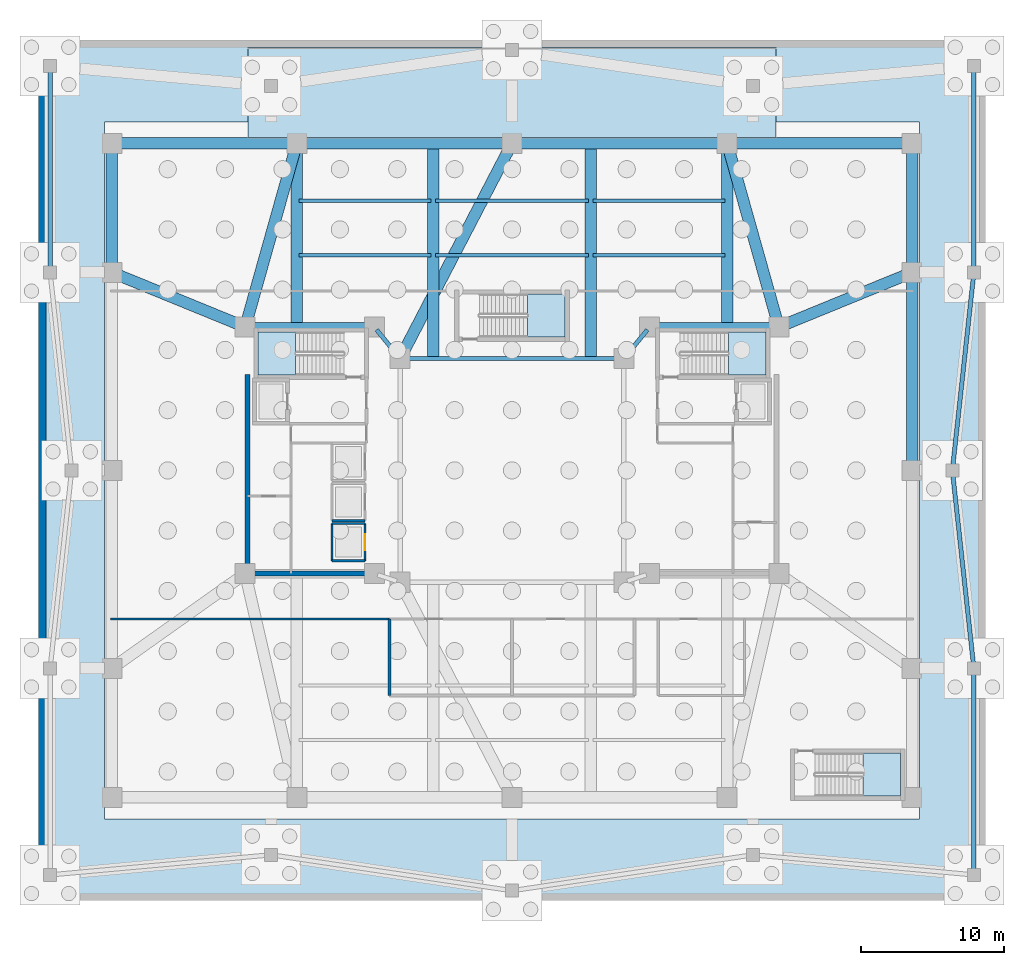
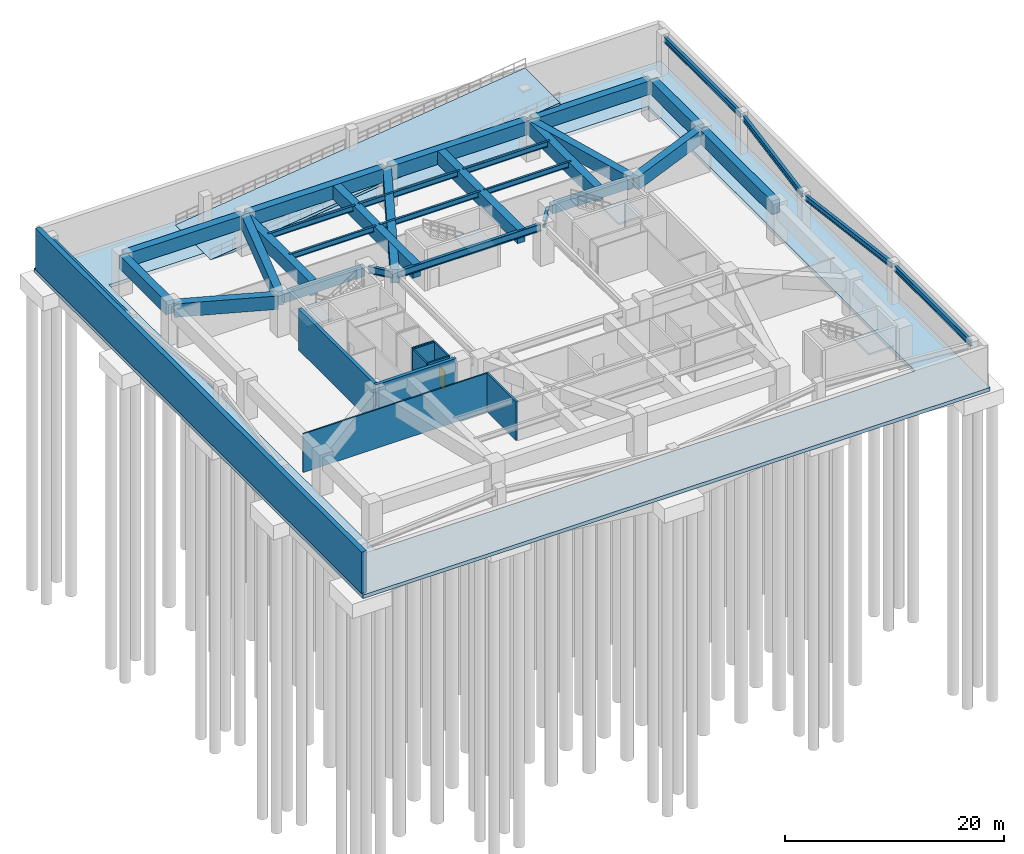
# One storey, part 3 of 9: 32 beams, 10 walls, 6 slabs, 1 door, 1 opening, 4 elements without a shape of their own.
"""IFC4 building model written with IfcOpenShell, lengths in metres."""

from ifc_helpers import new_model, si_unit, direction, frame, frame_2d, origin, origin_2d, place, context, subcontext, project, spatial, polyline, rectangle, i_section, outline, extrude, material, layer, layer_set, material_profile, profile_set, type_object, element, fill, aggregate, save


model = new_model("IFC4")

# Units and contexts
model_context = context("Model", 3, precision=1e-05, world=origin(), true_north=direction((0.0, 1.0)))
body_context = subcontext(model_context, "Body", "Model", "MODEL_VIEW")
ifc_project = project(units=[si_unit("LENGTHUNIT", "METRE"), si_unit("AREAUNIT", "SQUARE_METRE"), si_unit("VOLUMEUNIT", "CUBIC_METRE"), si_unit("PLANEANGLEUNIT", "RADIAN"), si_unit("MASSUNIT", "GRAM", prefix="KILO")], contexts=[model_context])

# Site, building, storey
site_placement = place(None, origin())
site = spatial("IfcSite", under=ifc_project, at=site_placement, CompositionType="ELEMENT")
building_placement = place(site_placement, origin())
building = spatial("IfcBuilding", under=site, at=building_placement, Name="Tarnavaz Court Tower", CompositionType="ELEMENT")
storey_placement = place(building_placement, frame((0.0, 0.0, -9.199951171875)))
storey = spatial("IfcBuildingStorey", under=building, at=storey_placement, Name="B02", CompositionType="ELEMENT", Elevation=-9.199951171875)

# Beams
ifc_material_1 = material(Name="Concrete C60/75", Category="concrete")
ifc_material_profile_1 = material_profile(ifc_material_1, rectangle(XDim=0.60009765625, YDim=1.0, at=origin_2d()), Name="RC 600X1000")
ifc_profile_set_1 = profile_set([ifc_material_profile_1], Name="Concrete C60/75")
beam_type_1 = type_object("IfcBeamType", Name="BM-CB1000", PredefinedType="LINTEL", material=ifc_profile_set_1)
for number, where, z_axis, x_axis, name in (
    (1, (-18.35009765625, 10.0, 3.800048828125), (1.0, 0.0, 0.0), (0.0, 1.0, 0.0), "B02 Beam CW-NO-CW-NI"),
    (2, (18.35009765625, 10.0, 3.800048828125), (-1.0, 0.0, 0.0), (0.0, -1.0, 0.0), "B02 Beam CE-NO-CE-NI"),
):
    element("IfcBeam", number, at=place(storey_placement, frame(where, z_axis=z_axis, x_axis=x_axis)), inside=storey, type_object=beam_type_1, Name=name, PredefinedType="LINTEL", context=body_context, shape_type="SweptSolid", body=[
        extrude(rectangle(XDim=0.60009765625, YDim=1.0, at=origin_2d()), origin(), (0.0, 0.0, 1.0), 8.5),
    ])
ifc_material_2 = material(Name="Steel S355", Category="steel")
ifc_material_profile_2 = material_profile(ifc_material_2, i_section(OverallWidth=0.300048828125, OverallDepth=0.800048828125, WebThickness=0.017578125, FlangeThickness=0.032958984375, FilletRadius=0.030029296875, at=origin_2d()), Name="HEB 800")
ifc_profile_set_2 = profile_set([ifc_material_profile_2], Name="Steel S355")
beam_type_2 = type_object("IfcBeamType", Name="BM-G-HEB800", PredefinedType="USERDEFINED", material=ifc_profile_set_2)
beam_1_placement = place(storey_placement, frame((-7.550048828125, 7.800048828125, 3.89990234375), z_axis=(1.0, 0.0, 0.0), x_axis=(0.0, 1.0, 0.0)))
element("IfcBeam", 3, at=beam_1_placement, inside=storey, type_object=beam_type_2, Name="B02 Beam IW-NW-IW-NE", ObjectType="GIRDER", PredefinedType="USERDEFINED", context=body_context, shape_type="SweptSolid", body=[
    extrude(i_section(OverallWidth=0.300048828125, OverallDepth=0.800048828125, WebThickness=0.017578125, FlangeThickness=0.032958984375, FilletRadius=0.030029296875, at=origin_2d()), origin(), (0.0, 0.0, 1.0), 15.10009765625),
])
for number, where, z_axis, x_axis, name in (
    (4, (-9.441650390625, 9.806396484375, 3.89990234375), (0.633249141033, -0.773948012066, 0.0), (0.773948012066, 0.633249141033, 0.0), "B02 Beam CW-NI-IW-NW"),
    (5, (9.441650390625, 9.806396484375, 3.89990234375), (-0.633249141033, -0.773948012066, 0.0), (0.773948012066, -0.633249141033, 0.0), "B02 Beam CE-NI-IW-NE"),
):
    element("IfcBeam", number, at=place(storey_placement, frame(where, z_axis=z_axis, x_axis=x_axis)), inside=storey, type_object=beam_type_2, Name=name, ObjectType="GIRDER", PredefinedType="USERDEFINED", context=body_context, shape_type="SweptSolid", body=[
        extrude(i_section(OverallWidth=0.300048828125, OverallDepth=0.800048828125, WebThickness=0.017578125, FlangeThickness=0.032958984375, FilletRadius=0.030029296875, at=origin_2d()), origin(), (0.0, 0.0, 1.0), 2.342529296875),
    ])
ifc_material_profile_3 = material_profile(ifc_material_2, i_section(OverallWidth=0.219970703125, OverallDepth=0.60009765625, WebThickness=0.011962890625, FlangeThickness=0.01904296875, FilletRadius=0.02392578125, at=origin_2d()), Name="IPE 600")
ifc_profile_set_3 = profile_set([ifc_material_profile_3], Name="Steel S355")
beam_type_3 = type_object("IfcBeamType", Name="BM-J-IPE600", PredefinedType="JOIST", material=ifc_profile_set_3)
beam_2_placement = place(storey_placement, frame((-14.85009765625, 15.0, 4.0), z_axis=(1.0, 0.0, 0.0), x_axis=(0.0, 1.0, 0.0)))
element("IfcBeam", 6, at=beam_2_placement, inside=storey, type_object=beam_type_3, Name="B02 Beam PJN-1-1", PredefinedType="JOIST", context=body_context, shape_type="SweptSolid", body=[
    extrude(i_section(OverallWidth=0.219970703125, OverallDepth=0.60009765625, WebThickness=0.011962890625, FlangeThickness=0.01904296875, FilletRadius=0.02392578125, at=origin_2d()), origin(), (0.0, 0.0, 1.0), 9.2001953125),
])
beam_3_placement = place(storey_placement, frame((-5.35009765625, 15.0, 4.0), z_axis=(1.0, 0.0, 0.0), x_axis=(0.0, 1.0, 0.0)))
element("IfcBeam", 7, at=beam_3_placement, inside=storey, type_object=beam_type_3, Name="B02 Beam PJN-1-2", PredefinedType="JOIST", context=body_context, shape_type="SweptSolid", body=[
    extrude(i_section(OverallWidth=0.219970703125, OverallDepth=0.60009765625, WebThickness=0.011962890625, FlangeThickness=0.01904296875, FilletRadius=0.02392578125, at=origin_2d()), origin(), (0.0, 0.0, 1.0), 10.7001953125),
])
for number, where, z_axis, x_axis, name in (
    (8, (5.64990234375, 15.0, 4.0), (1.0, 0.0, 0.0), (0.0, 1.0, 0.0), "B02 Beam PJN-1-3"),
    (9, (-14.85009765625, 18.800048828125, 4.0), (1.0, 0.0, 0.0), (0.0, 1.0, 0.0), "B02 Beam PJN-2-1"),
):
    element("IfcBeam", number, at=place(storey_placement, frame(where, z_axis=z_axis, x_axis=x_axis)), inside=storey, type_object=beam_type_3, Name=name, PredefinedType="JOIST", context=body_context, shape_type="SweptSolid", body=[
        extrude(i_section(OverallWidth=0.219970703125, OverallDepth=0.60009765625, WebThickness=0.011962890625, FlangeThickness=0.01904296875, FilletRadius=0.02392578125, at=origin_2d()), origin(), (0.0, 0.0, 1.0), 9.2001953125),
    ])
beam_4_placement = place(storey_placement, frame((-5.35009765625, 18.800048828125, 4.0), z_axis=(1.0, 0.0, 0.0), x_axis=(0.0, 1.0, 0.0)))
element("IfcBeam", 10, at=beam_4_placement, inside=storey, type_object=beam_type_3, Name="B02 Beam PJN-2-2", PredefinedType="JOIST", context=body_context, shape_type="SweptSolid", body=[
    extrude(i_section(OverallWidth=0.219970703125, OverallDepth=0.60009765625, WebThickness=0.011962890625, FlangeThickness=0.01904296875, FilletRadius=0.02392578125, at=origin_2d()), origin(), (0.0, 0.0, 1.0), 10.7001953125),
])
beam_5_placement = place(storey_placement, frame((5.64990234375, 18.800048828125, 4.0), z_axis=(1.0, 0.0, 0.0), x_axis=(0.0, 1.0, 0.0)))
element("IfcBeam", 11, at=beam_5_placement, inside=storey, type_object=beam_type_3, Name="B02 Beam PJN-2-3", PredefinedType="JOIST", context=body_context, shape_type="SweptSolid", body=[
    extrude(i_section(OverallWidth=0.219970703125, OverallDepth=0.60009765625, WebThickness=0.011962890625, FlangeThickness=0.01904296875, FilletRadius=0.02392578125, at=origin_2d()), origin(), (0.0, 0.0, 1.0), 9.2001953125),
])
ifc_material_profile_4 = material_profile(ifc_material_2, i_section(OverallWidth=0.300048828125, OverallDepth=0.639892578125, WebThickness=0.013427734375, FlangeThickness=0.02587890625, FilletRadius=0.027099609375, at=origin_2d()), Name="HEA 650")
ifc_profile_set_4 = profile_set([ifc_material_profile_4], Name="Steel S355")
beam_type_4 = type_object("IfcBeamType", Name="BM-SP-HEA650", PredefinedType="SPANDREL", material=ifc_profile_set_4)
for number, where, z_axis, x_axis, name in (
    (12, (-32.199951171875, 14.0, 3.97998046875), (0.0, 1.0, 0.0), (-1.0, 0.0, 0.0), "B02 Beam PR-POD-W3-POD-NW1"),
    (13, (32.199951171875, -28.0, 3.97998046875), (0.0, 1.0, 0.0), (-1.0, 0.0, 0.0), "B02 Beam PR-POD-SE1-POD-E1"),
):
    element("IfcBeam", number, at=place(storey_placement, frame(where, z_axis=z_axis, x_axis=x_axis)), inside=storey, type_object=beam_type_4, Name=name, PredefinedType="SPANDREL", context=body_context, shape_type="SweptSolid", body=[
        extrude(i_section(OverallWidth=0.300048828125, OverallDepth=0.639892578125, WebThickness=0.013427734375, FlangeThickness=0.02587890625, FilletRadius=0.027099609375, at=origin_2d()), origin(), (0.0, 0.0, 1.0), 14.0),
    ])
for number, where, z_axis, x_axis, name in (
    (14, (32.178466796875, -13.601318359375, 3.97998046875), (-0.10805801352, 0.994144589944, 0.0), (-0.994144589944, -0.10805801352, 0.0), "B02 Beam PR-POD-E1-POD-E2"),
    (15, (30.7216796875, 0.19873046875, 3.97998046875), (0.10805801352, 0.994144589944, 0.0), (-0.994144589944, 0.10805801352, 0.0), "B02 Beam PR-POD-E2-POD-E3"),
):
    element("IfcBeam", number, at=place(storey_placement, frame(where, z_axis=z_axis, x_axis=x_axis)), inside=storey, type_object=beam_type_4, Name=name, PredefinedType="SPANDREL", context=body_context, shape_type="SweptSolid", body=[
        extrude(i_section(OverallWidth=0.300048828125, OverallDepth=0.639892578125, WebThickness=0.013427734375, FlangeThickness=0.02587890625, FilletRadius=0.027099609375, at=origin_2d()), origin(), (0.0, 0.0, 1.0), 13.4814453125),
    ])
beam_6_placement = place(storey_placement, frame((32.199951171875, 14.0, 3.97998046875), z_axis=(0.0, 1.0, 0.0), x_axis=(-1.0, 0.0, 0.0)))
element("IfcBeam", 16, at=beam_6_placement, inside=storey, type_object=beam_type_4, Name="B02 Beam PR-POD-E3-POD-NE1", PredefinedType="SPANDREL", context=body_context, shape_type="SweptSolid", body=[
    extrude(i_section(OverallWidth=0.300048828125, OverallDepth=0.639892578125, WebThickness=0.013427734375, FlangeThickness=0.02587890625, FilletRadius=0.027099609375, at=origin_2d()), origin(), (0.0, 0.0, 1.0), 14.0),
])
ifc_material_3 = material(Name="Concrete C50/60", Category="concrete")
ifc_material_profile_5 = material_profile(ifc_material_3, rectangle(XDim=0.800048828125, YDim=1.5, at=origin_2d()), Name="RC 800X1500")
ifc_profile_set_5 = profile_set([ifc_material_profile_5], Name="Concrete C50/60")
beam_type_5 = type_object("IfcBeamType", Name="BM-TG1500", PredefinedType="USERDEFINED", material=ifc_profile_set_5)
beam_7_placement = place(storey_placement, frame((-27.64990234375, 22.800048828125, 3.550048828125), z_axis=(1.0, 0.0, 0.0), x_axis=(0.0, 1.0, 0.0)))
element("IfcBeam", 17, at=beam_7_placement, inside=storey, type_object=beam_type_5, Name="B02 Beam PM-PM-NW-PM-N1", ObjectType="GIRDER", PredefinedType="USERDEFINED", context=body_context, shape_type="SweptSolid", body=[
    extrude(rectangle(XDim=0.800048828125, YDim=1.5, at=origin_2d()), origin(), (0.0, 0.0, 1.0), 12.39990234375),
])
for number, where, z_axis, x_axis, name in (
    (18, (-14.75, 22.800048828125, 3.550048828125), (1.0, 0.0, 0.0), (0.0, 1.0, 0.0), "B02 Beam PM-PM-N1-PM-N2"),
    (19, (0.25, 22.800048828125, 3.550048828125), (1.0, 0.0, 0.0), (0.0, 1.0, 0.0), "B02 Beam PM-PM-N2-PM-N3"),
):
    element("IfcBeam", number, at=place(storey_placement, frame(where, z_axis=z_axis, x_axis=x_axis)), inside=storey, type_object=beam_type_5, Name=name, ObjectType="GIRDER", PredefinedType="USERDEFINED", context=body_context, shape_type="SweptSolid", body=[
        extrude(rectangle(XDim=0.800048828125, YDim=1.5, at=origin_2d()), origin(), (0.0, 0.0, 1.0), 14.5),
    ])
beam_8_placement = place(storey_placement, frame((15.25, 22.800048828125, 3.550048828125), z_axis=(1.0, 0.0, 0.0), x_axis=(0.0, 1.0, 0.0)))
element("IfcBeam", 20, at=beam_8_placement, inside=storey, type_object=beam_type_5, Name="B02 Beam PM-PM-N3-PM-NE", ObjectType="GIRDER", PredefinedType="USERDEFINED", context=body_context, shape_type="SweptSolid", body=[
    extrude(rectangle(XDim=0.800048828125, YDim=1.5, at=origin_2d()), origin(), (0.0, 0.0, 1.0), 12.39990234375),
])
beam_9_placement = place(storey_placement, frame((-27.89990234375, 14.050048828125, 3.550048828125), z_axis=(0.0, 1.0, 0.0), x_axis=(-1.0, 0.0, 0.0)))
element("IfcBeam", 21, at=beam_9_placement, inside=storey, type_object=beam_type_5, Name="B02 Beam PM-PM-W3-PM-NW", ObjectType="GIRDER", PredefinedType="USERDEFINED", context=body_context, shape_type="SweptSolid", body=[
    extrude(rectangle(XDim=0.800048828125, YDim=1.5, at=origin_2d()), origin(), (0.0, 0.0, 1.0), 8.5),
])
beam_10_placement = place(storey_placement, frame((27.89990234375, 0.25, 3.550048828125), z_axis=(0.0, 1.0, 0.0), x_axis=(-1.0, 0.0, 0.0)))
element("IfcBeam", 22, at=beam_10_placement, inside=storey, type_object=beam_type_5, Name="B02 Beam PM-PM-E2-PM-E3", ObjectType="GIRDER", PredefinedType="USERDEFINED", context=body_context, shape_type="SweptSolid", body=[
    extrude(rectangle(XDim=0.800048828125, YDim=1.5, at=origin_2d()), origin(), (0.0, 0.0, 1.0), 13.300048828125),
])
beam_11_placement = place(storey_placement, frame((27.89990234375, 14.050048828125, 3.550048828125), z_axis=(0.0, 1.0, 0.0), x_axis=(-1.0, 0.0, 0.0)))
element("IfcBeam", 23, at=beam_11_placement, inside=storey, type_object=beam_type_5, Name="B02 Beam PM-PM-E3-PM-NE", ObjectType="GIRDER", PredefinedType="USERDEFINED", context=body_context, shape_type="SweptSolid", body=[
    extrude(rectangle(XDim=0.800048828125, YDim=1.5, at=origin_2d()), origin(), (0.0, 0.0, 1.0), 8.5),
])
beam_12_placement = place(storey_placement, frame((-18.5322265625, 10.24072265625, 3.550048828125), z_axis=(0.270745024415, 0.962651095545, 0.0), x_axis=(-0.962651095545, 0.270745024415, 0.0)))
element("IfcBeam", 24, at=beam_12_placement, inside=storey, type_object=beam_type_5, Name="B02 Beam PM-CW-NO-PM-N1", ObjectType="GIRDER", PredefinedType="USERDEFINED", context=body_context, shape_type="SweptSolid", body=[
    extrude(rectangle(XDim=0.800048828125, YDim=1.5, at=origin_2d()), origin(), (0.0, 0.0, 1.0), 12.796630859375),
])
beam_13_placement = place(storey_placement, frame((-7.684814453125, 8.021728515625, 3.550048828125), z_axis=(0.461364918236, 0.887210466699, 0.0), x_axis=(-0.887210466699, 0.461364918236, 0.0)))
element("IfcBeam", 25, at=beam_13_placement, inside=storey, type_object=beam_type_5, Name="B02 Beam PM-IW-NW-PM-N2", ObjectType="GIRDER", PredefinedType="USERDEFINED", context=body_context, shape_type="SweptSolid", body=[
    extrude(rectangle(XDim=0.800048828125, YDim=1.5, at=origin_2d()), origin(), (0.0, 0.0, 1.0), 16.406982421875),
])
beam_14_placement = place(storey_placement, frame((18.5322265625, 10.24072265625, 3.550048828125), z_axis=(-0.270745024415, 0.962651095545, 0.0), x_axis=(-0.962651095545, -0.270745024415, 0.0)))
element("IfcBeam", 26, at=beam_14_placement, inside=storey, type_object=beam_type_5, Name="B02 Beam PM-CE-NO-PM-N3", ObjectType="GIRDER", PredefinedType="USERDEFINED", context=body_context, shape_type="SweptSolid", body=[
    extrude(rectangle(XDim=0.800048828125, YDim=1.5, at=origin_2d()), origin(), (0.0, 0.0, 1.0), 12.796630859375),
])
for number, where, z_axis, x_axis, name in (
    (27, (-18.831298828125, 10.094482421875, 3.550048828125), (-0.925710630755, 0.378232505356, 0.0), (-0.378232505356, -0.925710630755, 0.0), "B02 Beam PM-CW-NO-PM-W3"),
    (28, (18.831298828125, 10.094482421875, 3.550048828125), (0.925710630755, 0.378232505356, 0.0), (-0.378232505356, 0.925710630755, 0.0), "B02 Beam PM-CE-NO-PM-E3"),
):
    element("IfcBeam", number, at=place(storey_placement, frame(where, z_axis=z_axis, x_axis=x_axis)), inside=storey, type_object=beam_type_5, Name=name, ObjectType="GIRDER", PredefinedType="USERDEFINED", context=body_context, shape_type="SweptSolid", body=[
        extrude(rectangle(XDim=0.800048828125, YDim=1.5, at=origin_2d()), origin(), (0.0, 0.0, 1.0), 9.546630859375),
    ])
beam_15_placement = place(storey_placement, frame((-15.0, 10.0400390625, 3.550048828125), z_axis=(0.0, 1.0, 0.0), x_axis=(-1.0, 0.0, 0.0)))
element("IfcBeam", 29, at=beam_15_placement, inside=storey, type_object=beam_type_5, Name="B02 Beam PM-NS-NW", ObjectType="GIRDER", PredefinedType="USERDEFINED", context=body_context, shape_type="SweptSolid", body=[
    extrude(rectangle(XDim=0.800048828125, YDim=1.5, at=origin_2d()), origin(), (0.0, 0.0, 1.0), 12.719970703125),
])
for number, where, z_axis, x_axis, name in (
    (30, (-5.5, 7.840087890625, 3.550048828125), (0.0, 1.0, 0.0), (-1.0, 0.0, 0.0), "B02 Beam PM-NS-NCW"),
    (31, (5.5, 7.840087890625, 3.550048828125), (0.0, 1.0, 0.0), (-1.0, 0.0, 0.0), "B02 Beam PM-NS-NCE"),
):
    element("IfcBeam", number, at=place(storey_placement, frame(where, z_axis=z_axis, x_axis=x_axis)), inside=storey, type_object=beam_type_5, Name=name, ObjectType="GIRDER", PredefinedType="USERDEFINED", context=body_context, shape_type="SweptSolid", body=[
        extrude(rectangle(XDim=0.800048828125, YDim=1.5, at=origin_2d()), origin(), (0.0, 0.0, 1.0), 14.919921875),
    ])
beam_16_placement = place(storey_placement, frame((15.0, 10.0400390625, 3.550048828125), z_axis=(0.0, 1.0, 0.0), x_axis=(-1.0, 0.0, 0.0)))
element("IfcBeam", 32, at=beam_16_placement, inside=storey, type_object=beam_type_5, Name="B02 Beam PM-NS-NE", ObjectType="GIRDER", PredefinedType="USERDEFINED", context=body_context, shape_type="SweptSolid", body=[
    extrude(rectangle(XDim=0.800048828125, YDim=1.5, at=origin_2d()), origin(), (0.0, 0.0, 1.0), 12.719970703125),
])

# Slab
ifc_material_4 = material(Name="Concrete C40/50", Category="concrete")
ifc_layer_1 = layer(ifc_material_4, 0.39990234375)
ifc_layer_set_1 = layer_set([ifc_layer_1], Name="Concrete C40/50")
slab_type_1 = type_object("IfcSlabType", Name="SL-BASE-400", PredefinedType="BASESLAB", material=ifc_layer_set_1)
slab_1_placement = place(storey_placement, frame((0.0, 0.0, -0.400146484375)))
element("IfcSlab", 33, at=slab_1_placement, inside=storey, type_object=slab_type_1, Name="B02 Basement Perimeter Base Slab", PredefinedType="BASESLAB", context=body_context, shape_type="SweptSolid", body=[
    extrude(outline(polyline([(-33.0, -30.0), (33.0, -30.0), (33.0, 30.0), (-33.0, 30.0), (-33.0, -30.0)]), holes=[polyline([(-28.39990234375, -24.300048828125), (28.39990234375, -24.300048828125), (28.39990234375, 24.300048828125), (-28.39990234375, 24.300048828125), (-28.39990234375, -24.300048828125)])]), origin(), (0.0, 0.0, 1.0), 0.400146484375),
])

# Stair, slab
stair_type = type_object("IfcStairType", Name="ST-TWR-26R", PredefinedType="HALF_TURN_STAIR", material=ifc_material_4)
stair_1_placement = place(storey_placement, origin())
stair_1 = element("IfcStair", 34, at=stair_1_placement, inside=storey, type_object=stair_type, Name="B02 West Core Pressurized Exit Stair ST-W1", PredefinedType="HALF_TURN_STAIR")
ifc_layer_2 = layer(ifc_material_4, 0.199951171875)
ifc_layer_set_2 = layer_set([ifc_layer_2], Name="Concrete C40/50")
slab_type_2 = type_object("IfcSlabType", Name="SL-LAND-200", PredefinedType="LANDING", material=ifc_layer_set_2)
slab_2_placement = place(storey_placement, frame((0.0, 0.0, 2.099853515625)))
slab_2 = element("IfcSlab", 35, at=slab_2_placement, type_object=slab_type_2, Name="ST-W1 landing 1", PredefinedType="LANDING", context=body_context, shape_type="SweptSolid", body=[
    extrude(outline(polyline([(-15.080078125, 9.639892578125), (-17.699951171875, 9.639892578125), (-17.699951171875, 6.64990234375), (-15.080078125, 6.64990234375), (-15.080078125, 9.639892578125)])), origin(), (0.0, 0.0, 1.0), 0.2001953125),
])
aggregate(stair_1, [slab_2])

stair_2_placement = place(storey_placement, origin())
stair_2 = element("IfcStair", 36, at=stair_2_placement, inside=storey, type_object=stair_type, Name="B02 East Core Pressurized Exit Stair ST-E1", PredefinedType="HALF_TURN_STAIR")
slab_3_placement = place(storey_placement, frame((0.0, 0.0, 2.099853515625)))
slab_3 = element("IfcSlab", 37, at=slab_3_placement, type_object=slab_type_2, Name="ST-E1 landing 1", PredefinedType="LANDING", context=body_context, shape_type="SweptSolid", body=[
    extrude(outline(polyline([(15.080078125, 6.64990234375), (17.699951171875, 6.64990234375), (17.699951171875, 9.639892578125), (15.080078125, 9.639892578125), (15.080078125, 6.64990234375)])), origin(), (0.0, 0.0, 1.0), 0.2001953125),
])
aggregate(stair_2, [slab_3])

stair_3_placement = place(storey_placement, origin())
stair_3 = element("IfcStair", 38, at=stair_3_placement, inside=storey, type_object=stair_type, Name="B02 North Ring Pressurized Exit Stair ST-N1", PredefinedType="HALF_TURN_STAIR")
slab_4_placement = place(storey_placement, frame((0.0, 0.0, 2.099853515625)))
slab_4 = element("IfcSlab", 39, at=slab_4_placement, type_object=slab_type_2, Name="ST-N1 landing 1", PredefinedType="LANDING", context=body_context, shape_type="SweptSolid", body=[
    extrude(outline(polyline([(1.080078125, 9.300048828125), (3.699951171875, 9.300048828125), (3.699951171875, 12.2900390625), (1.080078125, 12.2900390625), (1.080078125, 9.300048828125)])), origin(), (0.0, 0.0, 1.0), 0.2001953125),
])
aggregate(stair_3, [slab_4])

stair_4_placement = place(storey_placement, origin())
stair_4 = element("IfcStair", 40, at=stair_4_placement, inside=storey, type_object=stair_type, Name="B02 Podium Clinic Exit Stair ST-P1", PredefinedType="HALF_TURN_STAIR")
slab_5_placement = place(storey_placement, frame((0.0, 0.0, 2.099853515625)))
slab_5 = element("IfcSlab", 41, at=slab_5_placement, type_object=slab_type_2, Name="ST-P1 landing 1", PredefinedType="LANDING", context=body_context, shape_type="SweptSolid", body=[
    extrude(outline(polyline([(24.47998046875, -22.699951171875), (27.10009765625, -22.699951171875), (27.10009765625, -19.7099609375), (24.47998046875, -19.7099609375), (24.47998046875, -22.699951171875)])), origin(), (0.0, 0.0, 1.0), 0.2001953125),
])
aggregate(stair_4, [slab_5])

# Slab
ifc_layer_3 = layer(ifc_material_4, 0.300048828125)
ifc_layer_set_3 = layer_set([ifc_layer_3], Name="Concrete C40/50")
slab_type_3 = type_object("IfcSlabType", Name="SL-VRAMP-300", PredefinedType="FLOOR", material=ifc_layer_set_3)
slab_6_placement = place(storey_placement, frame((-18.39990234375, 26.300048828125, 0.0), z_axis=(0.0, 0.0, 1.0), x_axis=(1.0, 0.0, 0.0)))
element("IfcSlab", 42, at=slab_6_placement, inside=storey, type_object=slab_type_3, Name="B02 Car Park Vehicle Ramp R1 Structural Slab (B02 to B01)", PredefinedType="FLOOR", context=body_context, shape_type="SweptSolid", body=[
    extrude(outline(polyline([(0.0, 0.0), (36.800048828125, 4.60009765625), (36.800048828125, 4.300048828125), (2.400390625, 0.0), (0.0, 0.0)])), frame((0.0, 3.199951171875, 0.0), z_axis=(0.0, -1.0, 0.0), x_axis=(1.0, 0.0, 0.0)), (0.0, 0.0, 1.0), 6.39990234375),
])

# Walls
ifc_layer_4 = layer(ifc_material_1, 0.35009765625)
ifc_layer_set_4 = layer_set([ifc_layer_4], Name="Concrete C60/75")
wall_type_1 = type_object("IfcWallType", Name="WL-CORE-350-C60", PredefinedType="SHEAR", material=ifc_layer_set_4)
wall_1_placement = place(storey_placement, frame((-18.449951171875, -7.375, 0.0), z_axis=(0.0, 0.0, 1.0), x_axis=(0.0, 1.0, 0.0)))
element("IfcWall", 43, at=wall_1_placement, inside=storey, type_object=wall_type_1, Name="B02 West Core Shear Wall 041", PredefinedType="SHEAR", context=body_context, shape_type="SweptSolid", body=[
    extrude(rectangle(XDim=14.050048828125, YDim=0.35009765625, at=frame_2d((7.02490234375, 0.0))), origin(), (0.0, 0.0, 1.0), 4.599853515625),
])
wall_2_placement = place(storey_placement, frame((-18.625, -7.199951171875, 0.0), z_axis=(0.0, 0.0, 1.0), x_axis=(1.0, 0.0, 0.0)))
element("IfcWall", 44, at=wall_2_placement, inside=storey, type_object=wall_type_1, Name="B02 West Core South Shear Wall 042", PredefinedType="SHEAR", context=body_context, shape_type="SweptSolid", body=[
    extrude(rectangle(XDim=8.550048828125, YDim=0.35009765625, at=frame_2d((4.27490234375, 0.0))), origin(), (0.0, 0.0, 1.0), 4.599853515625),
])
ifc_material_5 = material(Name="Gypsum Fire-Board on Acoustic Metal Stud", Category="masonry")
ifc_layer_5 = layer(ifc_material_5, 0.14990234375)
ifc_layer_set_5 = layer_set([ifc_layer_5], Name="Gypsum Fire-Board on Acoustic Metal Stud")
wall_type_2 = type_object("IfcWallType", Name="WL-FIRE-150", PredefinedType="PARTITIONING", material=ifc_layer_set_5)
wall_3_placement = place(storey_placement, frame((-28.0, -10.35009765625, 0.0), z_axis=(0.0, 0.0, 1.0), x_axis=(1.0, 0.0, 0.0)))
element("IfcWall", 45, at=wall_3_placement, inside=storey, type_object=wall_type_2, Name="B02 SW Corridor Wall 055", PredefinedType="PARTITIONING", context=body_context, shape_type="SweptSolid", body=[
    extrude(rectangle(XDim=19.449951171875, YDim=0.14990234375, at=frame_2d((9.72509765625, 0.0))), origin(), (0.0, 0.0, 1.0), 4.300048828125),
])
ifc_material_6 = material(Name="Autoclaved Aerated Concrete Blockwork", Category="masonry")
ifc_layer_6 = layer(ifc_material_6, 0.199951171875)
ifc_layer_set_6 = layer_set([ifc_layer_6], Name="Autoclaved Aerated Concrete Blockwork")
wall_type_3 = type_object("IfcWallType", Name="WL-FIRE-200", PredefinedType="SOLIDWALL", material=ifc_layer_set_6)
wall_4_placement = place(storey_placement, frame((-8.550048828125, -15.699951171875, 0.0), z_axis=(0.0, 0.0, 1.0), x_axis=(0.0, 1.0, 0.0)))
element("IfcWall", 46, at=wall_4_placement, inside=storey, type_object=wall_type_3, Name="B02 Interior Partition 059", PredefinedType="SOLIDWALL", context=body_context, shape_type="SweptSolid", body=[
    extrude(rectangle(XDim=5.349853515625, YDim=0.199951171875, at=frame_2d((2.6748046875, 0.0))), origin(), (0.0, 0.0, 1.0), 4.300048828125),
])
ifc_layer_7 = layer(ifc_material_3, 0.5)
ifc_layer_set_7 = layer_set([ifc_layer_7], Name="Concrete C50/60")
wall_type_4 = type_object("IfcWallType", Name="WL-RET-500", PredefinedType="USERDEFINED", material=ifc_layer_set_7)
wall_5_placement = place(storey_placement, frame((-32.75, -29.75, 0.0), z_axis=(0.0, 0.0, 1.0), x_axis=(0.0, 1.0, 0.0)))
element("IfcWall", 47, at=wall_5_placement, inside=storey, type_object=wall_type_4, Name="B02 Perimeter Retaining Wall 4", ObjectType="RETAINING WALL", PredefinedType="USERDEFINED", context=body_context, shape_type="SweptSolid", body=[
    extrude(rectangle(XDim=59.5, YDim=0.5, at=frame_2d((29.75, 0.0))), origin(), (0.0, 0.0, 1.0), 4.599853515625),
])
ifc_layer_8 = layer(ifc_material_6, 0.159912109375)
ifc_layer_set_8 = layer_set([ifc_layer_8], Name="Autoclaved Aerated Concrete Blockwork")
wall_type_5 = type_object("IfcWallType", Name="WL-SHAFT-150", PredefinedType="SOLIDWALL", material=ifc_layer_set_8)
wall_6_placement = place(storey_placement, frame((-12.550048828125, -6.300048828125, 0.0), z_axis=(0.0, 0.0, 1.0), x_axis=(0.0, 1.0, 0.0)))
element("IfcWall", 48, at=wall_6_placement, inside=storey, type_object=wall_type_5, Name="B02 Lift PL-L1 Shaft Wall 025", PredefinedType="SOLIDWALL", context=body_context, shape_type="SweptSolid", body=[
    extrude(rectangle(XDim=2.60009765625, YDim=0.159912109375, at=frame_2d((1.300048828125, 0.0))), origin(), (0.0, 0.0, 1.0), 4.300048828125),
])

# Wall, opening, door
wall_7_placement = place(storey_placement, frame((-10.25, -6.300048828125, 0.0), z_axis=(0.0, 0.0, 1.0), x_axis=(0.0, 1.0, 0.0)))
wall_7 = element("IfcWall", 49, at=wall_7_placement, inside=storey, type_object=wall_type_5, Name="B02 Lift PL-L1 Shaft Wall 026", PredefinedType="SOLIDWALL", context=body_context, shape_type="SweptSolid", body=[
    extrude(rectangle(XDim=2.60009765625, YDim=0.159912109375, at=frame_2d((1.300048828125, 0.0))), origin(), (0.0, 0.0, 1.0), 4.300048828125),
])
opening_placement = place(wall_7_placement, frame((0.75, 0.0, 0.0)))
opening = element("IfcOpeningElement", 50, at=opening_placement, cuts=wall_7, Name="Opening LD1", PredefinedType="OPENING", context=body_context, shape_type="SweptSolid", body=[
    extrude(rectangle(XDim=1.10009765625, YDim=2.14990234375, at=frame_2d((0.550048828125, 1.074951171875))), frame((0.0, 0.08984375, 0.0), z_axis=(0.0, -1.0, 0.0), x_axis=(1.0, 0.0, 0.0)), (0.0, 0.0, 1.0), 0.179931640625),
])
ifc_material_7 = material(Name="Stainless Steel", Category="steel")
door_type = type_object("IfcDoorType", Name="DR-LD-1100", OperationType="NOTDEFINED", PredefinedType="DOOR", material=ifc_material_7)
door_placement = place(opening_placement, origin())
door = element("IfcDoor", 51, at=door_placement, inside=storey, type_object=door_type, Name="B02 Lift Landing Door LD-PL-L1", OperationType="SLIDING_TO_LEFT", OverallHeight=2.14990234375, OverallWidth=1.10009765625, PredefinedType="DOOR", context=body_context, shape_type="SweptSolid", body=[
    extrude(rectangle(XDim=1.10009765625, YDim=2.14990234375, at=frame_2d((0.550048828125, 1.074951171875))), frame((0.0, 0.02490234375, 0.0), z_axis=(0.0, -1.0, 0.0), x_axis=(1.0, 0.0, 0.0)), (0.0, 0.0, 1.0), 0.050048828125),
])
fill(opening, door)

# Walls
for number, where, z_axis, x_axis, name in (
    (52, (-12.550048828125, -6.300048828125, 0.0), (0.0, 0.0, 1.0), (1.0, 0.0, 0.0), "B02 Lift PL-L1 Shaft Wall 027"),
    (53, (-12.550048828125, -3.699951171875, 0.0), (0.0, 0.0, 1.0), (1.0, 0.0, 0.0), "B02 Lift PL-L1 Shaft Wall 028"),
    (54, (-12.550048828125, -3.5, 0.0), (0.0, 0.0, 1.0), (1.0, 0.0, 0.0), "B02 Lift PL-L2 Shaft Wall 031"),
):
    element("IfcWall", number, at=place(storey_placement, frame(where, z_axis=z_axis, x_axis=x_axis)), inside=storey, type_object=wall_type_5, Name=name, PredefinedType="SOLIDWALL", context=body_context, shape_type="SweptSolid", body=[
        extrude(rectangle(XDim=2.300048828125, YDim=0.159912109375, at=frame_2d((1.14990234375, 0.0))), origin(), (0.0, 0.0, 1.0), 4.300048828125),
    ])

save(model, "model.ifc")
